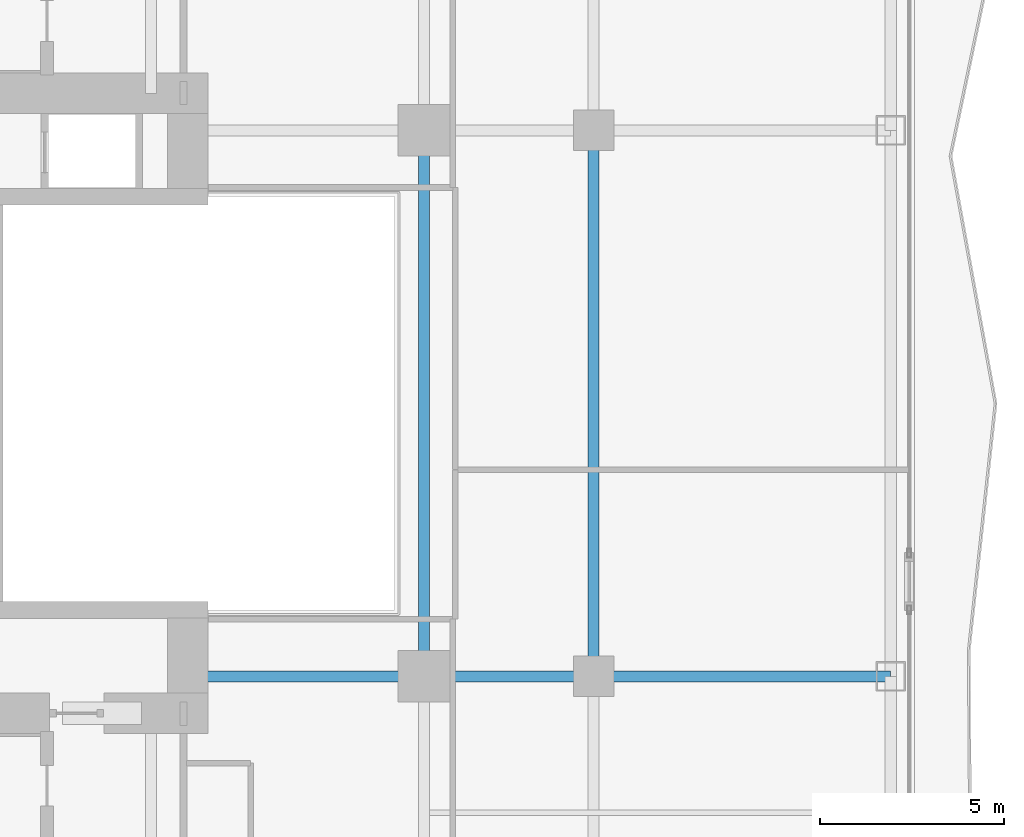
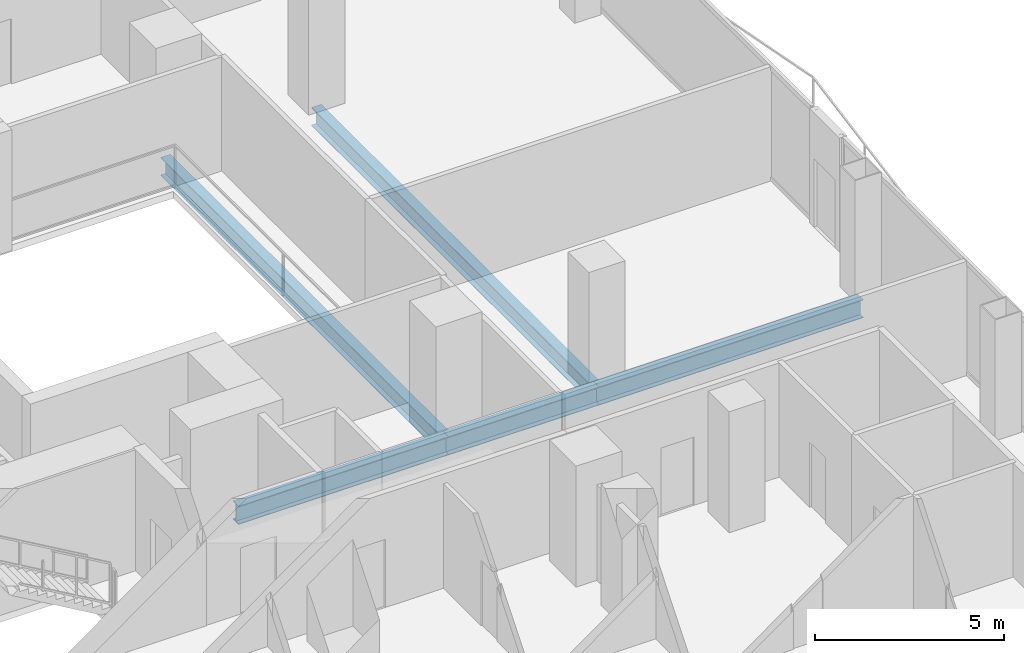
# One storey, part 11 of 28: 5 beams.
"""IFC4 building model written with IfcOpenShell, lengths in metres."""

from ifc_helpers import new_model, si_unit, direction, frame, origin, origin_2d, place, context, subcontext, project, spatial, i_section, extrude, material, material_profile, profile_set, type_object, element, save


model = new_model("IFC4")

# Units and contexts
model_context = context("Model", 3, precision=1e-05, world=origin(), true_north=direction((0.0, 1.0)))
body_context = subcontext(model_context, "Body", "Model", "MODEL_VIEW")
ifc_project = project(units=[si_unit("LENGTHUNIT", "METRE"), si_unit("AREAUNIT", "SQUARE_METRE"), si_unit("VOLUMEUNIT", "CUBIC_METRE"), si_unit("PLANEANGLEUNIT", "RADIAN"), si_unit("MASSUNIT", "GRAM", prefix="KILO")], contexts=[model_context])

# Site, building, storey
site_placement = place(None, origin())
site = spatial("IfcSite", under=ifc_project, at=site_placement, CompositionType="ELEMENT")
building_placement = place(site_placement, origin())
building = spatial("IfcBuilding", under=site, at=building_placement, Name="Khorvyn Point Tower", CompositionType="ELEMENT")
storey_placement = place(building_placement, frame((0.0, 0.0, 34.5)))
storey = spatial("IfcBuildingStorey", under=building, at=storey_placement, Name="L09", CompositionType="ELEMENT", Elevation=34.5)

# Beams
ifc_material = material(Name="Steel S355", Category="steel")
ifc_material_profile = material_profile(ifc_material, i_section(OverallWidth=0.300048828125, OverallDepth=0.587890625, WebThickness=0.011962890625, FlangeThickness=0.02001953125, at=origin_2d()))
ifc_profile_set = profile_set([ifc_material_profile], Name="Steel S355 H588x300x12x20")
beam_type = type_object("IfcBeamType", Name="Steel S355 Beam H588x300x12x20", PredefinedType="BEAM", material=ifc_profile_set)
beam_1_placement = place(storey_placement, frame((8.39990234375, -7.39990234375, -0.513916015625), z_axis=(1.0, 0.0, 0.0), x_axis=(0.0, 1.0, 0.0)))
element("IfcBeam", 1, at=beam_1_placement, inside=storey, type_object=beam_type, Name="Beam", PredefinedType="BEAM", context=body_context, shape_type="SweptSolid", body=[
    extrude(i_section(OverallWidth=0.300048828125, OverallDepth=0.587890625, WebThickness=0.011962890625, FlangeThickness=0.02001953125, at=origin_2d()), origin(), (0.0, 0.0, 1.0), 6.400146484375),
])
beam_2_placement = place(storey_placement, frame((14.800048828125, -7.39990234375, -0.513916015625), z_axis=(1.0, 0.0, 0.0), x_axis=(0.0, 1.0, 0.0)))
element("IfcBeam", 2, at=beam_2_placement, inside=storey, type_object=beam_type, Name="Beam", PredefinedType="BEAM", context=body_context, shape_type="SweptSolid", body=[
    extrude(i_section(OverallWidth=0.300048828125, OverallDepth=0.587890625, WebThickness=0.011962890625, FlangeThickness=0.02001953125, at=origin_2d()), origin(), (0.0, 0.0, 1.0), 4.599853515625),
])
beam_3_placement = place(storey_placement, frame((19.39990234375, -7.39990234375, -0.513916015625), z_axis=(1.0, 0.0, 0.0), x_axis=(0.0, 1.0, 0.0)))
element("IfcBeam", 3, at=beam_3_placement, inside=storey, type_object=beam_type, Name="Beam", PredefinedType="BEAM", context=body_context, shape_type="SweptSolid", body=[
    extrude(i_section(OverallWidth=0.300048828125, OverallDepth=0.587890625, WebThickness=0.011962890625, FlangeThickness=0.02001953125, at=origin_2d()), origin(), (0.0, 0.0, 1.0), 8.050048828125),
])
for number, where, z_axis, x_axis, name in (
    (4, (14.800048828125, -7.39990234375, -0.513916015625), (0.0, 1.0, 0.0), (-1.0, 0.0, 0.0), "Beam"),
    (5, (19.39990234375, -7.39990234375, -0.513916015625), (0.0, 1.0, 0.0), (-1.0, 0.0, 0.0), "Beam"),
):
    element("IfcBeam", number, at=place(storey_placement, frame(where, z_axis=z_axis, x_axis=x_axis)), inside=storey, type_object=beam_type, Name=name, PredefinedType="BEAM", context=body_context, shape_type="SweptSolid", body=[
        extrude(i_section(OverallWidth=0.300048828125, OverallDepth=0.587890625, WebThickness=0.011962890625, FlangeThickness=0.02001953125, at=origin_2d()), origin(), (0.0, 0.0, 1.0), 14.7998046875),
    ])

save(model, "model.ifc")
